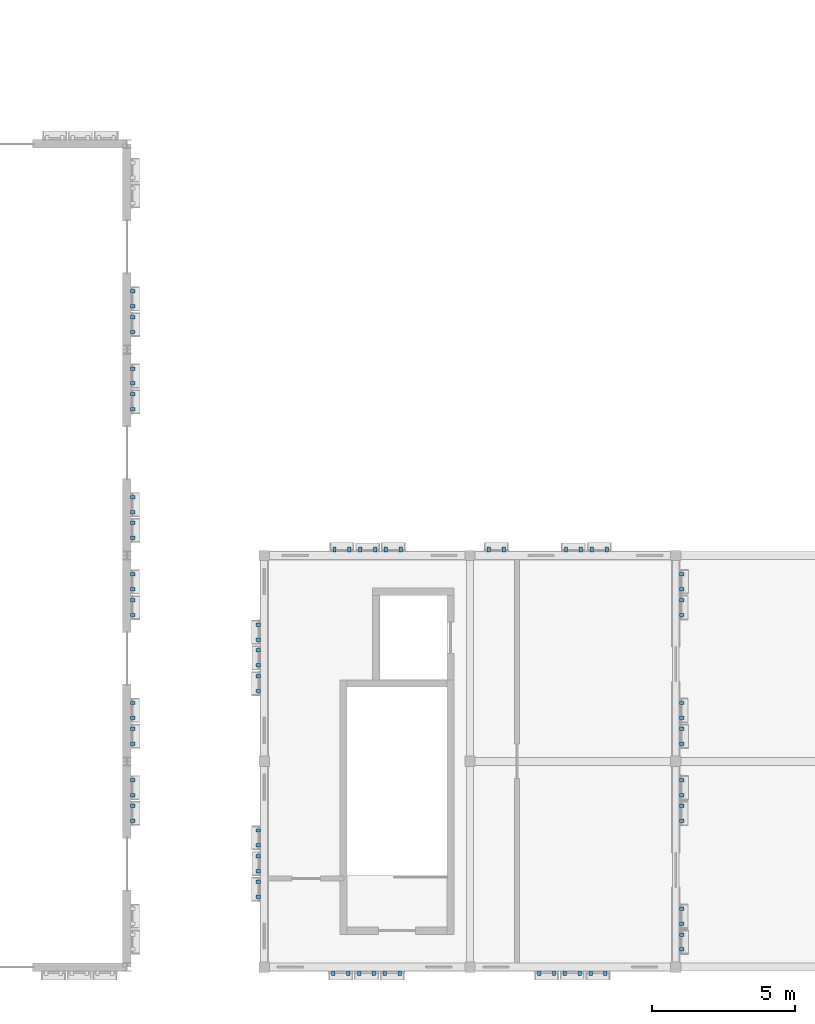
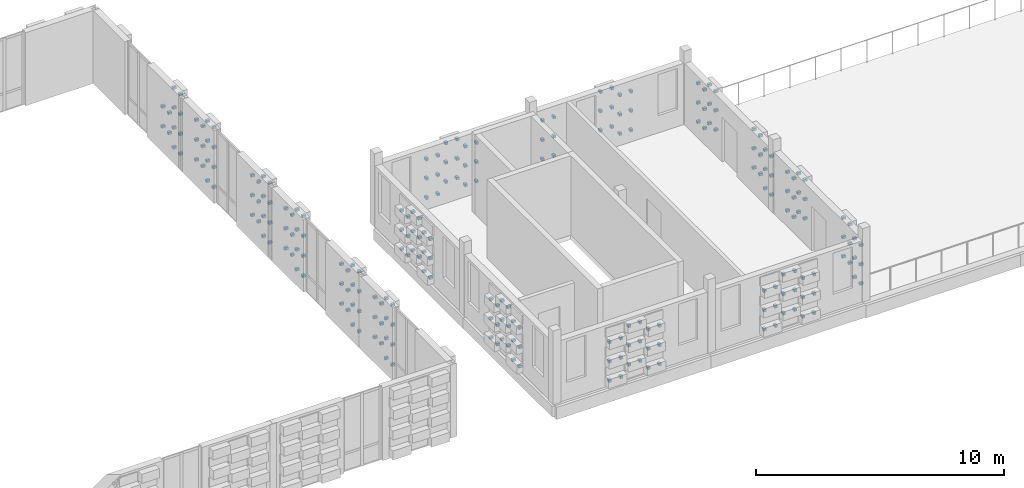
# One storey, part 47 of 57: 238 discrete accessories.
"""IFC4 building model written with IfcOpenShell, lengths in metres."""

from ifc_helpers import new_model, si_unit, direction, frame, origin, origin_2d, place, context, subcontext, project, spatial, rectangle, extrude, material, type_object, element, save


model = new_model("IFC4")

# Units and contexts
model_context = context("Model", 3, precision=1e-05, world=origin(), true_north=direction((0.0, 1.0)))
body_context = subcontext(model_context, "Body", "Model", "MODEL_VIEW")
ifc_project = project(units=[si_unit("LENGTHUNIT", "METRE"), si_unit("AREAUNIT", "SQUARE_METRE"), si_unit("VOLUMEUNIT", "CUBIC_METRE"), si_unit("PLANEANGLEUNIT", "RADIAN"), si_unit("MASSUNIT", "GRAM", prefix="KILO")], contexts=[model_context])

# Site, building, storey
site_placement = place(None, origin())
site = spatial("IfcSite", under=ifc_project, at=site_placement, CompositionType="ELEMENT")
building_placement = place(site_placement, origin())
building = spatial("IfcBuilding", under=site, at=building_placement, Name="Kahlenmark Community Centre", CompositionType="ELEMENT")
storey_placement = place(building_placement, frame((0.0, 0.0, 13.800048828125)))
storey = spatial("IfcBuildingStorey", under=building, at=storey_placement, Name="L03", CompositionType="ELEMENT", Elevation=13.800048828125)

# Discrete accessories
ifc_material = material(Name="Stainless steel 1.4401 rainscreen bracket", Category="steel")
discrete_accessory_type = type_object("IfcDiscreteAccessoryType", Name="DAT-BRACKET-TC", PredefinedType="BRACKET", material=ifc_material)
for number, where, z_axis, x_axis, name in (
    (1, (46.2099609375, 13.919921875, 0.264892578125), (0.0, 0.0, 1.0), (0.0, 1.0, 0.0), "Terracotta cassette bracket 3858.1"),
    (2, (46.2099609375, 14.43994140625, 0.264892578125), (0.0, 0.0, 1.0), (0.0, 1.0, 0.0), "Terracotta cassette bracket 3858.2"),
    (3, (46.2099609375, 13.919921875, 1.244873046875), (0.0, 0.0, 1.0), (0.0, 1.0, 0.0), "Terracotta cassette bracket 3860.1"),
    (4, (46.2099609375, 14.43994140625, 1.244873046875), (0.0, 0.0, 1.0), (0.0, 1.0, 0.0), "Terracotta cassette bracket 3860.2"),
    (5, (46.2099609375, 13.919921875, 2.224853515625), (0.0, 0.0, 1.0), (0.0, 1.0, 0.0), "Terracotta cassette bracket 3862.1"),
    (6, (46.2099609375, 14.43994140625, 2.224853515625), (0.0, 0.0, 1.0), (0.0, 1.0, 0.0), "Terracotta cassette bracket 3862.2"),
    (7, (46.2099609375, 13.919921875, 3.204833984375), (0.0, 0.0, 1.0), (0.0, 1.0, 0.0), "Terracotta cassette bracket 3864.1"),
    (8, (46.2099609375, 14.43994140625, 3.204833984375), (0.0, 0.0, 1.0), (0.0, 1.0, 0.0), "Terracotta cassette bracket 3864.2"),
    (9, (46.2099609375, 14.820068359375, 0.7548828125), (0.0, 0.0, 1.0), (0.0, 1.0, 0.0), "Terracotta cassette bracket 3866.1"),
    (10, (46.2099609375, 15.340087890625, 0.7548828125), (0.0, 0.0, 1.0), (0.0, 1.0, 0.0), "Terracotta cassette bracket 3866.2"),
    (11, (46.2099609375, 14.820068359375, 1.73486328125), (0.0, 0.0, 1.0), (0.0, 1.0, 0.0), "Terracotta cassette bracket 3868.1"),
    (12, (46.2099609375, 15.340087890625, 1.73486328125), (0.0, 0.0, 1.0), (0.0, 1.0, 0.0), "Terracotta cassette bracket 3868.2"),
    (13, (46.2099609375, 14.820068359375, 2.71484375), (0.0, 0.0, 1.0), (0.0, 1.0, 0.0), "Terracotta cassette bracket 3870.1"),
    (14, (46.2099609375, 15.340087890625, 2.71484375), (0.0, 0.0, 1.0), (0.0, 1.0, 0.0), "Terracotta cassette bracket 3870.2"),
    (15, (46.2099609375, 16.6201171875, 0.264892578125), (0.0, 0.0, 1.0), (0.0, 1.0, 0.0), "Terracotta cassette bracket 3872.1"),
    (16, (46.2099609375, 17.139892578125, 0.264892578125), (0.0, 0.0, 1.0), (0.0, 1.0, 0.0), "Terracotta cassette bracket 3872.2"),
    (17, (46.2099609375, 16.6201171875, 1.244873046875), (0.0, 0.0, 1.0), (0.0, 1.0, 0.0), "Terracotta cassette bracket 3874.1"),
    (18, (46.2099609375, 17.139892578125, 1.244873046875), (0.0, 0.0, 1.0), (0.0, 1.0, 0.0), "Terracotta cassette bracket 3874.2"),
    (19, (46.2099609375, 16.6201171875, 2.224853515625), (0.0, 0.0, 1.0), (0.0, 1.0, 0.0), "Terracotta cassette bracket 3876.1"),
    (20, (46.2099609375, 17.139892578125, 2.224853515625), (0.0, 0.0, 1.0), (0.0, 1.0, 0.0), "Terracotta cassette bracket 3876.2"),
    (21, (46.2099609375, 16.6201171875, 3.204833984375), (0.0, 0.0, 1.0), (0.0, 1.0, 0.0), "Terracotta cassette bracket 3878.1"),
    (22, (46.2099609375, 17.139892578125, 3.204833984375), (0.0, 0.0, 1.0), (0.0, 1.0, 0.0), "Terracotta cassette bracket 3878.2"),
    (23, (46.2099609375, 17.52001953125, 0.7548828125), (0.0, 0.0, 1.0), (0.0, 1.0, 0.0), "Terracotta cassette bracket 3880.1"),
    (24, (46.2099609375, 18.0400390625, 0.7548828125), (0.0, 0.0, 1.0), (0.0, 1.0, 0.0), "Terracotta cassette bracket 3880.2"),
    (25, (46.2099609375, 17.52001953125, 1.73486328125), (0.0, 0.0, 1.0), (0.0, 1.0, 0.0), "Terracotta cassette bracket 3882.1"),
    (26, (46.2099609375, 18.0400390625, 1.73486328125), (0.0, 0.0, 1.0), (0.0, 1.0, 0.0), "Terracotta cassette bracket 3882.2"),
    (27, (46.2099609375, 17.52001953125, 2.71484375), (0.0, 0.0, 1.0), (0.0, 1.0, 0.0), "Terracotta cassette bracket 3884.1"),
    (28, (46.2099609375, 18.0400390625, 2.71484375), (0.0, 0.0, 1.0), (0.0, 1.0, 0.0), "Terracotta cassette bracket 3884.2"),
    (29, (46.2099609375, 21.1201171875, 0.264892578125), (0.0, 0.0, 1.0), (0.0, 1.0, 0.0), "Terracotta cassette bracket 3886.1"),
    (30, (46.2099609375, 21.639892578125, 0.264892578125), (0.0, 0.0, 1.0), (0.0, 1.0, 0.0), "Terracotta cassette bracket 3886.2"),
    (31, (46.2099609375, 21.1201171875, 1.244873046875), (0.0, 0.0, 1.0), (0.0, 1.0, 0.0), "Terracotta cassette bracket 3888.1"),
    (32, (46.2099609375, 21.639892578125, 1.244873046875), (0.0, 0.0, 1.0), (0.0, 1.0, 0.0), "Terracotta cassette bracket 3888.2"),
    (33, (46.2099609375, 21.1201171875, 2.224853515625), (0.0, 0.0, 1.0), (0.0, 1.0, 0.0), "Terracotta cassette bracket 3890.1"),
    (34, (46.2099609375, 21.639892578125, 2.224853515625), (0.0, 0.0, 1.0), (0.0, 1.0, 0.0), "Terracotta cassette bracket 3890.2"),
    (35, (46.2099609375, 21.1201171875, 3.204833984375), (0.0, 0.0, 1.0), (0.0, 1.0, 0.0), "Terracotta cassette bracket 3892.1"),
    (36, (46.2099609375, 21.639892578125, 3.204833984375), (0.0, 0.0, 1.0), (0.0, 1.0, 0.0), "Terracotta cassette bracket 3892.2"),
    (37, (46.2099609375, 22.02001953125, 0.7548828125), (0.0, 0.0, 1.0), (0.0, 1.0, 0.0), "Terracotta cassette bracket 3894.1"),
    (38, (46.2099609375, 22.5400390625, 0.7548828125), (0.0, 0.0, 1.0), (0.0, 1.0, 0.0), "Terracotta cassette bracket 3894.2"),
    (39, (46.2099609375, 22.02001953125, 1.73486328125), (0.0, 0.0, 1.0), (0.0, 1.0, 0.0), "Terracotta cassette bracket 3896.1"),
    (40, (46.2099609375, 22.5400390625, 1.73486328125), (0.0, 0.0, 1.0), (0.0, 1.0, 0.0), "Terracotta cassette bracket 3896.2"),
    (41, (46.2099609375, 22.02001953125, 2.71484375), (0.0, 0.0, 1.0), (0.0, 1.0, 0.0), "Terracotta cassette bracket 3898.1"),
    (42, (46.2099609375, 22.5400390625, 2.71484375), (0.0, 0.0, 1.0), (0.0, 1.0, 0.0), "Terracotta cassette bracket 3898.2"),
    (43, (46.2099609375, 23.820068359375, 0.264892578125), (0.0, 0.0, 1.0), (0.0, 1.0, 0.0), "Terracotta cassette bracket 3900.1"),
    (44, (46.2099609375, 24.340087890625, 0.264892578125), (0.0, 0.0, 1.0), (0.0, 1.0, 0.0), "Terracotta cassette bracket 3900.2"),
    (45, (46.2099609375, 23.820068359375, 1.244873046875), (0.0, 0.0, 1.0), (0.0, 1.0, 0.0), "Terracotta cassette bracket 3902.1"),
    (46, (46.2099609375, 24.340087890625, 1.244873046875), (0.0, 0.0, 1.0), (0.0, 1.0, 0.0), "Terracotta cassette bracket 3902.2"),
    (47, (46.2099609375, 23.820068359375, 2.224853515625), (0.0, 0.0, 1.0), (0.0, 1.0, 0.0), "Terracotta cassette bracket 3904.1"),
    (48, (46.2099609375, 24.340087890625, 2.224853515625), (0.0, 0.0, 1.0), (0.0, 1.0, 0.0), "Terracotta cassette bracket 3904.2"),
    (49, (46.2099609375, 23.820068359375, 3.204833984375), (0.0, 0.0, 1.0), (0.0, 1.0, 0.0), "Terracotta cassette bracket 3906.1"),
    (50, (46.2099609375, 24.340087890625, 3.204833984375), (0.0, 0.0, 1.0), (0.0, 1.0, 0.0), "Terracotta cassette bracket 3906.2"),
    (51, (46.2099609375, 24.719970703125, 0.7548828125), (0.0, 0.0, 1.0), (0.0, 1.0, 0.0), "Terracotta cassette bracket 3908.1"),
    (52, (46.2099609375, 25.239990234375, 0.7548828125), (0.0, 0.0, 1.0), (0.0, 1.0, 0.0), "Terracotta cassette bracket 3908.2"),
    (53, (46.2099609375, 24.719970703125, 1.73486328125), (0.0, 0.0, 1.0), (0.0, 1.0, 0.0), "Terracotta cassette bracket 3910.1"),
    (54, (46.2099609375, 25.239990234375, 1.73486328125), (0.0, 0.0, 1.0), (0.0, 1.0, 0.0), "Terracotta cassette bracket 3910.2"),
    (55, (46.2099609375, 24.719970703125, 2.71484375), (0.0, 0.0, 1.0), (0.0, 1.0, 0.0), "Terracotta cassette bracket 3912.1"),
    (56, (46.2099609375, 25.239990234375, 2.71484375), (0.0, 0.0, 1.0), (0.0, 1.0, 0.0), "Terracotta cassette bracket 3912.2"),
    (57, (46.2099609375, 28.320068359375, 0.264892578125), (0.0, 0.0, 1.0), (0.0, 1.0, 0.0), "Terracotta cassette bracket 3914.1"),
    (58, (46.2099609375, 28.840087890625, 0.264892578125), (0.0, 0.0, 1.0), (0.0, 1.0, 0.0), "Terracotta cassette bracket 3914.2"),
    (59, (46.2099609375, 28.320068359375, 1.244873046875), (0.0, 0.0, 1.0), (0.0, 1.0, 0.0), "Terracotta cassette bracket 3916.1"),
    (60, (46.2099609375, 28.840087890625, 1.244873046875), (0.0, 0.0, 1.0), (0.0, 1.0, 0.0), "Terracotta cassette bracket 3916.2"),
    (61, (46.2099609375, 28.320068359375, 2.224853515625), (0.0, 0.0, 1.0), (0.0, 1.0, 0.0), "Terracotta cassette bracket 3918.1"),
    (62, (46.2099609375, 28.840087890625, 2.224853515625), (0.0, 0.0, 1.0), (0.0, 1.0, 0.0), "Terracotta cassette bracket 3918.2"),
    (63, (46.2099609375, 28.320068359375, 3.204833984375), (0.0, 0.0, 1.0), (0.0, 1.0, 0.0), "Terracotta cassette bracket 3920.1"),
    (64, (46.2099609375, 28.840087890625, 3.204833984375), (0.0, 0.0, 1.0), (0.0, 1.0, 0.0), "Terracotta cassette bracket 3920.2"),
    (65, (46.2099609375, 29.219970703125, 0.7548828125), (0.0, 0.0, 1.0), (0.0, 1.0, 0.0), "Terracotta cassette bracket 3922.1"),
    (66, (46.2099609375, 29.739990234375, 0.7548828125), (0.0, 0.0, 1.0), (0.0, 1.0, 0.0), "Terracotta cassette bracket 3922.2"),
    (67, (46.2099609375, 29.219970703125, 1.73486328125), (0.0, 0.0, 1.0), (0.0, 1.0, 0.0), "Terracotta cassette bracket 3924.1"),
    (68, (46.2099609375, 29.739990234375, 1.73486328125), (0.0, 0.0, 1.0), (0.0, 1.0, 0.0), "Terracotta cassette bracket 3924.2"),
    (69, (46.2099609375, 29.219970703125, 2.71484375), (0.0, 0.0, 1.0), (0.0, 1.0, 0.0), "Terracotta cassette bracket 3926.1"),
    (70, (46.2099609375, 29.739990234375, 2.71484375), (0.0, 0.0, 1.0), (0.0, 1.0, 0.0), "Terracotta cassette bracket 3926.2"),
    (71, (46.2099609375, 31.02001953125, 0.264892578125), (0.0, 0.0, 1.0), (0.0, 1.0, 0.0), "Terracotta cassette bracket 3928.1"),
    (72, (46.2099609375, 31.5400390625, 0.264892578125), (0.0, 0.0, 1.0), (0.0, 1.0, 0.0), "Terracotta cassette bracket 3928.2"),
    (73, (46.2099609375, 31.02001953125, 1.244873046875), (0.0, 0.0, 1.0), (0.0, 1.0, 0.0), "Terracotta cassette bracket 3930.1"),
    (74, (46.2099609375, 31.5400390625, 1.244873046875), (0.0, 0.0, 1.0), (0.0, 1.0, 0.0), "Terracotta cassette bracket 3930.2"),
    (75, (46.2099609375, 31.02001953125, 2.224853515625), (0.0, 0.0, 1.0), (0.0, 1.0, 0.0), "Terracotta cassette bracket 3932.1"),
    (76, (46.2099609375, 31.5400390625, 2.224853515625), (0.0, 0.0, 1.0), (0.0, 1.0, 0.0), "Terracotta cassette bracket 3932.2"),
    (77, (46.2099609375, 31.02001953125, 3.204833984375), (0.0, 0.0, 1.0), (0.0, 1.0, 0.0), "Terracotta cassette bracket 3934.1"),
    (78, (46.2099609375, 31.5400390625, 3.204833984375), (0.0, 0.0, 1.0), (0.0, 1.0, 0.0), "Terracotta cassette bracket 3934.2"),
    (79, (46.2099609375, 31.919921875, 0.7548828125), (0.0, 0.0, 1.0), (0.0, 1.0, 0.0), "Terracotta cassette bracket 3936.1"),
    (80, (46.2099609375, 32.43994140625, 0.7548828125), (0.0, 0.0, 1.0), (0.0, 1.0, 0.0), "Terracotta cassette bracket 3936.2"),
    (81, (46.2099609375, 31.919921875, 1.73486328125), (0.0, 0.0, 1.0), (0.0, 1.0, 0.0), "Terracotta cassette bracket 3938.1"),
    (82, (46.2099609375, 32.43994140625, 1.73486328125), (0.0, 0.0, 1.0), (0.0, 1.0, 0.0), "Terracotta cassette bracket 3938.2"),
    (83, (53.219970703125, 8.590087890625, 0.25732421875), (0.0, 0.0, 1.0), (1.0, 0.0, 0.0), "Terracotta cassette bracket 4472.1"),
    (84, (53.739990234375, 8.590087890625, 0.25732421875), (0.0, 0.0, 1.0), (1.0, 0.0, 0.0), "Terracotta cassette bracket 4472.2"),
    (85, (53.219970703125, 8.590087890625, 1.207275390625), (0.0, 0.0, 1.0), (1.0, 0.0, 0.0), "Terracotta cassette bracket 4474.1"),
    (86, (53.739990234375, 8.590087890625, 1.207275390625), (0.0, 0.0, 1.0), (1.0, 0.0, 0.0), "Terracotta cassette bracket 4474.2"),
    (87, (53.219970703125, 8.590087890625, 2.157470703125), (0.0, 0.0, 1.0), (1.0, 0.0, 0.0), "Terracotta cassette bracket 4476.1"),
    (88, (53.739990234375, 8.590087890625, 2.157470703125), (0.0, 0.0, 1.0), (1.0, 0.0, 0.0), "Terracotta cassette bracket 4476.2"),
    (89, (54.1201171875, 8.590087890625, 0.732421875), (0.0, 0.0, 1.0), (1.0, 0.0, 0.0), "Terracotta cassette bracket 4479.1"),
    (90, (54.639892578125, 8.590087890625, 0.732421875), (0.0, 0.0, 1.0), (1.0, 0.0, 0.0), "Terracotta cassette bracket 4479.2"),
    (91, (54.1201171875, 8.590087890625, 1.682373046875), (0.0, 0.0, 1.0), (1.0, 0.0, 0.0), "Terracotta cassette bracket 4481.1"),
    (92, (54.639892578125, 8.590087890625, 1.682373046875), (0.0, 0.0, 1.0), (1.0, 0.0, 0.0), "Terracotta cassette bracket 4481.2"),
    (93, (54.1201171875, 8.590087890625, 2.63232421875), (0.0, 0.0, 1.0), (1.0, 0.0, 0.0), "Terracotta cassette bracket 4483.1"),
    (94, (54.639892578125, 8.590087890625, 2.63232421875), (0.0, 0.0, 1.0), (1.0, 0.0, 0.0), "Terracotta cassette bracket 4483.2"),
    (95, (55.02001953125, 8.590087890625, 0.25732421875), (0.0, 0.0, 1.0), (1.0, 0.0, 0.0), "Terracotta cassette bracket 4484.1"),
    (96, (55.5400390625, 8.590087890625, 0.25732421875), (0.0, 0.0, 1.0), (1.0, 0.0, 0.0), "Terracotta cassette bracket 4484.2"),
    (97, (55.02001953125, 8.590087890625, 1.207275390625), (0.0, 0.0, 1.0), (1.0, 0.0, 0.0), "Terracotta cassette bracket 4486.1"),
    (98, (55.5400390625, 8.590087890625, 1.207275390625), (0.0, 0.0, 1.0), (1.0, 0.0, 0.0), "Terracotta cassette bracket 4486.2"),
    (99, (55.02001953125, 8.590087890625, 2.157470703125), (0.0, 0.0, 1.0), (1.0, 0.0, 0.0), "Terracotta cassette bracket 4488.1"),
    (100, (55.5400390625, 8.590087890625, 2.157470703125), (0.0, 0.0, 1.0), (1.0, 0.0, 0.0), "Terracotta cassette bracket 4488.2"),
    (101, (60.419921875, 8.590087890625, 0.25732421875), (0.0, 0.0, 1.0), (1.0, 0.0, 0.0), "Terracotta cassette bracket 4490.1"),
    (102, (60.93994140625, 8.590087890625, 0.25732421875), (0.0, 0.0, 1.0), (1.0, 0.0, 0.0), "Terracotta cassette bracket 4490.2"),
    (103, (60.419921875, 8.590087890625, 1.207275390625), (0.0, 0.0, 1.0), (1.0, 0.0, 0.0), "Terracotta cassette bracket 4492.1"),
    (104, (60.93994140625, 8.590087890625, 1.207275390625), (0.0, 0.0, 1.0), (1.0, 0.0, 0.0), "Terracotta cassette bracket 4492.2"),
    (105, (60.419921875, 8.590087890625, 2.157470703125), (0.0, 0.0, 1.0), (1.0, 0.0, 0.0), "Terracotta cassette bracket 4494.1"),
    (106, (60.93994140625, 8.590087890625, 2.157470703125), (0.0, 0.0, 1.0), (1.0, 0.0, 0.0), "Terracotta cassette bracket 4494.2"),
    (107, (61.320068359375, 8.590087890625, 0.732421875), (0.0, 0.0, 1.0), (1.0, 0.0, 0.0), "Terracotta cassette bracket 4497.1"),
    (108, (61.840087890625, 8.590087890625, 0.732421875), (0.0, 0.0, 1.0), (1.0, 0.0, 0.0), "Terracotta cassette bracket 4497.2"),
    (109, (61.320068359375, 8.590087890625, 1.682373046875), (0.0, 0.0, 1.0), (1.0, 0.0, 0.0), "Terracotta cassette bracket 4499.1"),
    (110, (61.840087890625, 8.590087890625, 1.682373046875), (0.0, 0.0, 1.0), (1.0, 0.0, 0.0), "Terracotta cassette bracket 4499.2"),
    (111, (61.320068359375, 8.590087890625, 2.63232421875), (0.0, 0.0, 1.0), (1.0, 0.0, 0.0), "Terracotta cassette bracket 4501.1"),
    (112, (61.840087890625, 8.590087890625, 2.63232421875), (0.0, 0.0, 1.0), (1.0, 0.0, 0.0), "Terracotta cassette bracket 4501.2"),
    (113, (62.219970703125, 8.590087890625, 0.25732421875), (0.0, 0.0, 1.0), (1.0, 0.0, 0.0), "Terracotta cassette bracket 4502.1"),
    (114, (62.739990234375, 8.590087890625, 0.25732421875), (0.0, 0.0, 1.0), (1.0, 0.0, 0.0), "Terracotta cassette bracket 4502.2"),
    (115, (62.219970703125, 8.590087890625, 1.207275390625), (0.0, 0.0, 1.0), (1.0, 0.0, 0.0), "Terracotta cassette bracket 4504.1"),
    (116, (62.739990234375, 8.590087890625, 1.207275390625), (0.0, 0.0, 1.0), (1.0, 0.0, 0.0), "Terracotta cassette bracket 4504.2"),
    (117, (62.219970703125, 8.590087890625, 2.157470703125), (0.0, 0.0, 1.0), (1.0, 0.0, 0.0), "Terracotta cassette bracket 4506.1"),
    (118, (62.739990234375, 8.590087890625, 2.157470703125), (0.0, 0.0, 1.0), (1.0, 0.0, 0.0), "Terracotta cassette bracket 4506.2"),
    (119, (62.780029296875, 23.409912109375, 0.25732421875), (0.0, 0.0, 1.0), (-1.0, 0.0, 0.0), "Terracotta cassette bracket 4508.1"),
    (120, (62.260009765625, 23.409912109375, 0.25732421875), (0.0, 0.0, 1.0), (-1.0, 0.0, 0.0), "Terracotta cassette bracket 4508.2"),
    (121, (62.780029296875, 23.409912109375, 1.207275390625), (0.0, 0.0, 1.0), (-1.0, 0.0, 0.0), "Terracotta cassette bracket 4510.1"),
    (122, (62.260009765625, 23.409912109375, 1.207275390625), (0.0, 0.0, 1.0), (-1.0, 0.0, 0.0), "Terracotta cassette bracket 4510.2"),
    (123, (62.780029296875, 23.409912109375, 2.157470703125), (0.0, 0.0, 1.0), (-1.0, 0.0, 0.0), "Terracotta cassette bracket 4512.1"),
    (124, (62.260009765625, 23.409912109375, 2.157470703125), (0.0, 0.0, 1.0), (-1.0, 0.0, 0.0), "Terracotta cassette bracket 4512.2"),
    (125, (61.8798828125, 23.409912109375, 0.732421875), (0.0, 0.0, 1.0), (-1.0, 0.0, 0.0), "Terracotta cassette bracket 4515.1"),
    (126, (61.360107421875, 23.409912109375, 0.732421875), (0.0, 0.0, 1.0), (-1.0, 0.0, 0.0), "Terracotta cassette bracket 4515.2"),
    (127, (61.8798828125, 23.409912109375, 1.682373046875), (0.0, 0.0, 1.0), (-1.0, 0.0, 0.0), "Terracotta cassette bracket 4517.1"),
    (128, (61.360107421875, 23.409912109375, 1.682373046875), (0.0, 0.0, 1.0), (-1.0, 0.0, 0.0), "Terracotta cassette bracket 4517.2"),
    (129, (61.8798828125, 23.409912109375, 2.63232421875), (0.0, 0.0, 1.0), (-1.0, 0.0, 0.0), "Terracotta cassette bracket 4519.1"),
    (130, (61.360107421875, 23.409912109375, 2.63232421875), (0.0, 0.0, 1.0), (-1.0, 0.0, 0.0), "Terracotta cassette bracket 4519.2"),
    (131, (59.179931640625, 23.409912109375, 0.25732421875), (0.0, 0.0, 1.0), (-1.0, 0.0, 0.0), "Terracotta cassette bracket 4520.1"),
    (132, (58.659912109375, 23.409912109375, 0.25732421875), (0.0, 0.0, 1.0), (-1.0, 0.0, 0.0), "Terracotta cassette bracket 4520.2"),
    (133, (59.179931640625, 23.409912109375, 1.207275390625), (0.0, 0.0, 1.0), (-1.0, 0.0, 0.0), "Terracotta cassette bracket 4522.1"),
    (134, (58.659912109375, 23.409912109375, 1.207275390625), (0.0, 0.0, 1.0), (-1.0, 0.0, 0.0), "Terracotta cassette bracket 4522.2"),
    (135, (59.179931640625, 23.409912109375, 2.157470703125), (0.0, 0.0, 1.0), (-1.0, 0.0, 0.0), "Terracotta cassette bracket 4524.1"),
    (136, (58.659912109375, 23.409912109375, 2.157470703125), (0.0, 0.0, 1.0), (-1.0, 0.0, 0.0), "Terracotta cassette bracket 4524.2"),
    (137, (55.580078125, 23.409912109375, 0.25732421875), (0.0, 0.0, 1.0), (-1.0, 0.0, 0.0), "Terracotta cassette bracket 4526.1"),
    (138, (55.06005859375, 23.409912109375, 0.25732421875), (0.0, 0.0, 1.0), (-1.0, 0.0, 0.0), "Terracotta cassette bracket 4526.2"),
    (139, (55.580078125, 23.409912109375, 1.207275390625), (0.0, 0.0, 1.0), (-1.0, 0.0, 0.0), "Terracotta cassette bracket 4528.1"),
    (140, (55.06005859375, 23.409912109375, 1.207275390625), (0.0, 0.0, 1.0), (-1.0, 0.0, 0.0), "Terracotta cassette bracket 4528.2"),
    (141, (55.580078125, 23.409912109375, 2.157470703125), (0.0, 0.0, 1.0), (-1.0, 0.0, 0.0), "Terracotta cassette bracket 4530.1"),
    (142, (55.06005859375, 23.409912109375, 2.157470703125), (0.0, 0.0, 1.0), (-1.0, 0.0, 0.0), "Terracotta cassette bracket 4530.2"),
    (143, (54.679931640625, 23.409912109375, 0.732421875), (0.0, 0.0, 1.0), (-1.0, 0.0, 0.0), "Terracotta cassette bracket 4533.1"),
    (144, (54.159912109375, 23.409912109375, 0.732421875), (0.0, 0.0, 1.0), (-1.0, 0.0, 0.0), "Terracotta cassette bracket 4533.2"),
    (145, (54.679931640625, 23.409912109375, 1.682373046875), (0.0, 0.0, 1.0), (-1.0, 0.0, 0.0), "Terracotta cassette bracket 4535.1"),
    (146, (54.159912109375, 23.409912109375, 1.682373046875), (0.0, 0.0, 1.0), (-1.0, 0.0, 0.0), "Terracotta cassette bracket 4535.2"),
    (147, (54.679931640625, 23.409912109375, 2.63232421875), (0.0, 0.0, 1.0), (-1.0, 0.0, 0.0), "Terracotta cassette bracket 4537.1"),
    (148, (54.159912109375, 23.409912109375, 2.63232421875), (0.0, 0.0, 1.0), (-1.0, 0.0, 0.0), "Terracotta cassette bracket 4537.2"),
    (149, (53.780029296875, 23.409912109375, 0.25732421875), (0.0, 0.0, 1.0), (-1.0, 0.0, 0.0), "Terracotta cassette bracket 4538.1"),
    (150, (53.260009765625, 23.409912109375, 0.25732421875), (0.0, 0.0, 1.0), (-1.0, 0.0, 0.0), "Terracotta cassette bracket 4538.2"),
    (151, (53.780029296875, 23.409912109375, 1.207275390625), (0.0, 0.0, 1.0), (-1.0, 0.0, 0.0), "Terracotta cassette bracket 4540.1"),
    (152, (53.260009765625, 23.409912109375, 1.207275390625), (0.0, 0.0, 1.0), (-1.0, 0.0, 0.0), "Terracotta cassette bracket 4540.2"),
    (153, (53.780029296875, 23.409912109375, 2.157470703125), (0.0, 0.0, 1.0), (-1.0, 0.0, 0.0), "Terracotta cassette bracket 4542.1"),
    (154, (53.260009765625, 23.409912109375, 2.157470703125), (0.0, 0.0, 1.0), (-1.0, 0.0, 0.0), "Terracotta cassette bracket 4542.2"),
    (155, (50.590087890625, 20.780029296875, 0.25732421875), (0.0, 0.0, 1.0), (0.0, -1.0, 0.0), "Terracotta cassette bracket 4544.1"),
    (156, (50.590087890625, 20.260009765625, 0.25732421875), (0.0, 0.0, 1.0), (0.0, -1.0, 0.0), "Terracotta cassette bracket 4544.2"),
    (157, (50.590087890625, 20.780029296875, 1.207275390625), (0.0, 0.0, 1.0), (0.0, -1.0, 0.0), "Terracotta cassette bracket 4546.1"),
    (158, (50.590087890625, 20.260009765625, 1.207275390625), (0.0, 0.0, 1.0), (0.0, -1.0, 0.0), "Terracotta cassette bracket 4546.2"),
    (159, (50.590087890625, 20.780029296875, 2.157470703125), (0.0, 0.0, 1.0), (0.0, -1.0, 0.0), "Terracotta cassette bracket 4548.1"),
    (160, (50.590087890625, 20.260009765625, 2.157470703125), (0.0, 0.0, 1.0), (0.0, -1.0, 0.0), "Terracotta cassette bracket 4548.2"),
    (161, (50.590087890625, 19.8798828125, 0.732421875), (0.0, 0.0, 1.0), (0.0, -1.0, 0.0), "Terracotta cassette bracket 4551.1"),
    (162, (50.590087890625, 19.360107421875, 0.732421875), (0.0, 0.0, 1.0), (0.0, -1.0, 0.0), "Terracotta cassette bracket 4551.2"),
    (163, (50.590087890625, 19.8798828125, 1.682373046875), (0.0, 0.0, 1.0), (0.0, -1.0, 0.0), "Terracotta cassette bracket 4553.1"),
    (164, (50.590087890625, 19.360107421875, 1.682373046875), (0.0, 0.0, 1.0), (0.0, -1.0, 0.0), "Terracotta cassette bracket 4553.2"),
    (165, (50.590087890625, 19.8798828125, 2.63232421875), (0.0, 0.0, 1.0), (0.0, -1.0, 0.0), "Terracotta cassette bracket 4555.1"),
    (166, (50.590087890625, 19.360107421875, 2.63232421875), (0.0, 0.0, 1.0), (0.0, -1.0, 0.0), "Terracotta cassette bracket 4555.2"),
    (167, (50.590087890625, 18.97998046875, 0.25732421875), (0.0, 0.0, 1.0), (0.0, -1.0, 0.0), "Terracotta cassette bracket 4556.1"),
    (168, (50.590087890625, 18.4599609375, 0.25732421875), (0.0, 0.0, 1.0), (0.0, -1.0, 0.0), "Terracotta cassette bracket 4556.2"),
    (169, (50.590087890625, 18.97998046875, 1.207275390625), (0.0, 0.0, 1.0), (0.0, -1.0, 0.0), "Terracotta cassette bracket 4558.1"),
    (170, (50.590087890625, 18.4599609375, 1.207275390625), (0.0, 0.0, 1.0), (0.0, -1.0, 0.0), "Terracotta cassette bracket 4558.2"),
    (171, (50.590087890625, 18.97998046875, 2.157470703125), (0.0, 0.0, 1.0), (0.0, -1.0, 0.0), "Terracotta cassette bracket 4560.1"),
    (172, (50.590087890625, 18.4599609375, 2.157470703125), (0.0, 0.0, 1.0), (0.0, -1.0, 0.0), "Terracotta cassette bracket 4560.2"),
    (173, (50.590087890625, 13.580078125, 0.25732421875), (0.0, 0.0, 1.0), (0.0, -1.0, 0.0), "Terracotta cassette bracket 4562.1"),
    (174, (50.590087890625, 13.06005859375, 0.25732421875), (0.0, 0.0, 1.0), (0.0, -1.0, 0.0), "Terracotta cassette bracket 4562.2"),
    (175, (50.590087890625, 13.580078125, 1.207275390625), (0.0, 0.0, 1.0), (0.0, -1.0, 0.0), "Terracotta cassette bracket 4564.1"),
    (176, (50.590087890625, 13.06005859375, 1.207275390625), (0.0, 0.0, 1.0), (0.0, -1.0, 0.0), "Terracotta cassette bracket 4564.2"),
    (177, (50.590087890625, 13.580078125, 2.157470703125), (0.0, 0.0, 1.0), (0.0, -1.0, 0.0), "Terracotta cassette bracket 4566.1"),
    (178, (50.590087890625, 13.06005859375, 2.157470703125), (0.0, 0.0, 1.0), (0.0, -1.0, 0.0), "Terracotta cassette bracket 4566.2"),
    (179, (50.590087890625, 12.679931640625, 0.732421875), (0.0, 0.0, 1.0), (0.0, -1.0, 0.0), "Terracotta cassette bracket 4569.1"),
    (180, (50.590087890625, 12.159912109375, 0.732421875), (0.0, 0.0, 1.0), (0.0, -1.0, 0.0), "Terracotta cassette bracket 4569.2"),
    (181, (50.590087890625, 12.679931640625, 1.682373046875), (0.0, 0.0, 1.0), (0.0, -1.0, 0.0), "Terracotta cassette bracket 4571.1"),
    (182, (50.590087890625, 12.159912109375, 1.682373046875), (0.0, 0.0, 1.0), (0.0, -1.0, 0.0), "Terracotta cassette bracket 4571.2"),
    (183, (50.590087890625, 12.679931640625, 2.63232421875), (0.0, 0.0, 1.0), (0.0, -1.0, 0.0), "Terracotta cassette bracket 4573.1"),
    (184, (50.590087890625, 12.159912109375, 2.63232421875), (0.0, 0.0, 1.0), (0.0, -1.0, 0.0), "Terracotta cassette bracket 4573.2"),
    (185, (50.590087890625, 11.780029296875, 0.25732421875), (0.0, 0.0, 1.0), (0.0, -1.0, 0.0), "Terracotta cassette bracket 4574.1"),
    (186, (50.590087890625, 11.260009765625, 0.25732421875), (0.0, 0.0, 1.0), (0.0, -1.0, 0.0), "Terracotta cassette bracket 4574.2"),
    (187, (50.590087890625, 11.780029296875, 1.207275390625), (0.0, 0.0, 1.0), (0.0, -1.0, 0.0), "Terracotta cassette bracket 4576.1"),
    (188, (50.590087890625, 11.260009765625, 1.207275390625), (0.0, 0.0, 1.0), (0.0, -1.0, 0.0), "Terracotta cassette bracket 4576.2"),
    (189, (50.590087890625, 11.780029296875, 2.157470703125), (0.0, 0.0, 1.0), (0.0, -1.0, 0.0), "Terracotta cassette bracket 4578.1"),
    (190, (50.590087890625, 11.260009765625, 2.157470703125), (0.0, 0.0, 1.0), (0.0, -1.0, 0.0), "Terracotta cassette bracket 4578.2"),
    (191, (65.409912109375, 9.419921875, 0.25732421875), (0.0, 0.0, 1.0), (0.0, 1.0, 0.0), "Terracotta cassette bracket 4580.1"),
    (192, (65.409912109375, 9.93994140625, 0.25732421875), (0.0, 0.0, 1.0), (0.0, 1.0, 0.0), "Terracotta cassette bracket 4580.2"),
    (193, (65.409912109375, 9.419921875, 1.207275390625), (0.0, 0.0, 1.0), (0.0, 1.0, 0.0), "Terracotta cassette bracket 4582.1"),
    (194, (65.409912109375, 9.93994140625, 1.207275390625), (0.0, 0.0, 1.0), (0.0, 1.0, 0.0), "Terracotta cassette bracket 4582.2"),
    (195, (65.409912109375, 9.419921875, 2.157470703125), (0.0, 0.0, 1.0), (0.0, 1.0, 0.0), "Terracotta cassette bracket 4584.1"),
    (196, (65.409912109375, 9.93994140625, 2.157470703125), (0.0, 0.0, 1.0), (0.0, 1.0, 0.0), "Terracotta cassette bracket 4584.2"),
    (197, (65.409912109375, 10.320068359375, 0.732421875), (0.0, 0.0, 1.0), (0.0, 1.0, 0.0), "Terracotta cassette bracket 4587.1"),
    (198, (65.409912109375, 10.840087890625, 0.732421875), (0.0, 0.0, 1.0), (0.0, 1.0, 0.0), "Terracotta cassette bracket 4587.2"),
    (199, (65.409912109375, 10.320068359375, 1.682373046875), (0.0, 0.0, 1.0), (0.0, 1.0, 0.0), "Terracotta cassette bracket 4589.1"),
    (200, (65.409912109375, 10.840087890625, 1.682373046875), (0.0, 0.0, 1.0), (0.0, 1.0, 0.0), "Terracotta cassette bracket 4589.2"),
    (201, (65.409912109375, 10.320068359375, 2.63232421875), (0.0, 0.0, 1.0), (0.0, 1.0, 0.0), "Terracotta cassette bracket 4591.1"),
    (202, (65.409912109375, 10.840087890625, 2.63232421875), (0.0, 0.0, 1.0), (0.0, 1.0, 0.0), "Terracotta cassette bracket 4591.2"),
    (203, (65.409912109375, 13.919921875, 0.732421875), (0.0, 0.0, 1.0), (0.0, 1.0, 0.0), "Terracotta cassette bracket 4593.1"),
    (204, (65.409912109375, 14.43994140625, 0.732421875), (0.0, 0.0, 1.0), (0.0, 1.0, 0.0), "Terracotta cassette bracket 4593.2"),
    (205, (65.409912109375, 13.919921875, 1.682373046875), (0.0, 0.0, 1.0), (0.0, 1.0, 0.0), "Terracotta cassette bracket 4595.1"),
    (206, (65.409912109375, 14.43994140625, 1.682373046875), (0.0, 0.0, 1.0), (0.0, 1.0, 0.0), "Terracotta cassette bracket 4595.2"),
    (207, (65.409912109375, 13.919921875, 2.63232421875), (0.0, 0.0, 1.0), (0.0, 1.0, 0.0), "Terracotta cassette bracket 4597.1"),
    (208, (65.409912109375, 14.43994140625, 2.63232421875), (0.0, 0.0, 1.0), (0.0, 1.0, 0.0), "Terracotta cassette bracket 4597.2"),
    (209, (65.409912109375, 14.820068359375, 0.25732421875), (0.0, 0.0, 1.0), (0.0, 1.0, 0.0), "Terracotta cassette bracket 4598.1"),
    (210, (65.409912109375, 15.340087890625, 0.25732421875), (0.0, 0.0, 1.0), (0.0, 1.0, 0.0), "Terracotta cassette bracket 4598.2"),
    (211, (65.409912109375, 14.820068359375, 1.207275390625), (0.0, 0.0, 1.0), (0.0, 1.0, 0.0), "Terracotta cassette bracket 4600.1"),
    (212, (65.409912109375, 15.340087890625, 1.207275390625), (0.0, 0.0, 1.0), (0.0, 1.0, 0.0), "Terracotta cassette bracket 4600.2"),
    (213, (65.409912109375, 14.820068359375, 2.157470703125), (0.0, 0.0, 1.0), (0.0, 1.0, 0.0), "Terracotta cassette bracket 4602.1"),
    (214, (65.409912109375, 15.340087890625, 2.157470703125), (0.0, 0.0, 1.0), (0.0, 1.0, 0.0), "Terracotta cassette bracket 4602.2"),
    (215, (65.409912109375, 16.6201171875, 0.25732421875), (0.0, 0.0, 1.0), (0.0, 1.0, 0.0), "Terracotta cassette bracket 4604.1"),
    (216, (65.409912109375, 17.139892578125, 0.25732421875), (0.0, 0.0, 1.0), (0.0, 1.0, 0.0), "Terracotta cassette bracket 4604.2"),
    (217, (65.409912109375, 16.6201171875, 1.207275390625), (0.0, 0.0, 1.0), (0.0, 1.0, 0.0), "Terracotta cassette bracket 4606.1"),
    (218, (65.409912109375, 17.139892578125, 1.207275390625), (0.0, 0.0, 1.0), (0.0, 1.0, 0.0), "Terracotta cassette bracket 4606.2"),
    (219, (65.409912109375, 16.6201171875, 2.157470703125), (0.0, 0.0, 1.0), (0.0, 1.0, 0.0), "Terracotta cassette bracket 4608.1"),
    (220, (65.409912109375, 17.139892578125, 2.157470703125), (0.0, 0.0, 1.0), (0.0, 1.0, 0.0), "Terracotta cassette bracket 4608.2"),
    (221, (65.409912109375, 17.52001953125, 0.732421875), (0.0, 0.0, 1.0), (0.0, 1.0, 0.0), "Terracotta cassette bracket 4611.1"),
    (222, (65.409912109375, 18.0400390625, 0.732421875), (0.0, 0.0, 1.0), (0.0, 1.0, 0.0), "Terracotta cassette bracket 4611.2"),
    (223, (65.409912109375, 17.52001953125, 1.682373046875), (0.0, 0.0, 1.0), (0.0, 1.0, 0.0), "Terracotta cassette bracket 4613.1"),
    (224, (65.409912109375, 18.0400390625, 1.682373046875), (0.0, 0.0, 1.0), (0.0, 1.0, 0.0), "Terracotta cassette bracket 4613.2"),
    (225, (65.409912109375, 17.52001953125, 2.63232421875), (0.0, 0.0, 1.0), (0.0, 1.0, 0.0), "Terracotta cassette bracket 4615.1"),
    (226, (65.409912109375, 18.0400390625, 2.63232421875), (0.0, 0.0, 1.0), (0.0, 1.0, 0.0), "Terracotta cassette bracket 4615.2"),
    (227, (65.409912109375, 21.1201171875, 0.732421875), (0.0, 0.0, 1.0), (0.0, 1.0, 0.0), "Terracotta cassette bracket 4617.1"),
    (228, (65.409912109375, 21.639892578125, 0.732421875), (0.0, 0.0, 1.0), (0.0, 1.0, 0.0), "Terracotta cassette bracket 4617.2"),
    (229, (65.409912109375, 21.1201171875, 1.682373046875), (0.0, 0.0, 1.0), (0.0, 1.0, 0.0), "Terracotta cassette bracket 4619.1"),
    (230, (65.409912109375, 21.639892578125, 1.682373046875), (0.0, 0.0, 1.0), (0.0, 1.0, 0.0), "Terracotta cassette bracket 4619.2"),
    (231, (65.409912109375, 21.1201171875, 2.63232421875), (0.0, 0.0, 1.0), (0.0, 1.0, 0.0), "Terracotta cassette bracket 4621.1"),
    (232, (65.409912109375, 21.639892578125, 2.63232421875), (0.0, 0.0, 1.0), (0.0, 1.0, 0.0), "Terracotta cassette bracket 4621.2"),
    (233, (65.409912109375, 22.02001953125, 0.25732421875), (0.0, 0.0, 1.0), (0.0, 1.0, 0.0), "Terracotta cassette bracket 4622.1"),
    (234, (65.409912109375, 22.5400390625, 0.25732421875), (0.0, 0.0, 1.0), (0.0, 1.0, 0.0), "Terracotta cassette bracket 4622.2"),
    (235, (65.409912109375, 22.02001953125, 1.207275390625), (0.0, 0.0, 1.0), (0.0, 1.0, 0.0), "Terracotta cassette bracket 4624.1"),
    (236, (65.409912109375, 22.5400390625, 1.207275390625), (0.0, 0.0, 1.0), (0.0, 1.0, 0.0), "Terracotta cassette bracket 4624.2"),
    (237, (65.409912109375, 22.02001953125, 2.157470703125), (0.0, 0.0, 1.0), (0.0, 1.0, 0.0), "Terracotta cassette bracket 4626.1"),
    (238, (65.409912109375, 22.5400390625, 2.157470703125), (0.0, 0.0, 1.0), (0.0, 1.0, 0.0), "Terracotta cassette bracket 4626.2"),
):
    element("IfcDiscreteAccessory", number, at=place(storey_placement, frame(where, z_axis=z_axis, x_axis=x_axis)), inside=storey, type_object=discrete_accessory_type, Name=name, PredefinedType="BRACKET", context=body_context, shape_type="SweptSolid", body=[
        extrude(rectangle(XDim=0.1201171875, YDim=0.159912109375, at=origin_2d()), origin(), (0.0, 0.0, 1.0), 0.1201171875),
    ])

save(model, "model.ifc")
